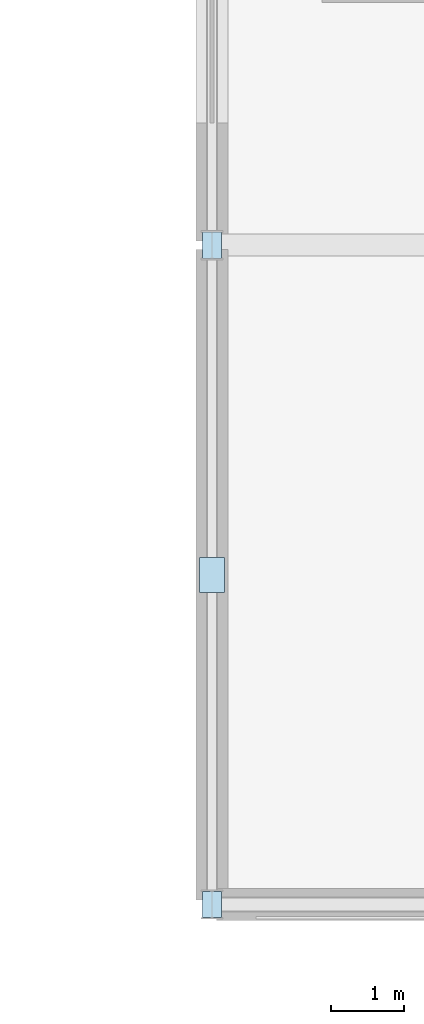
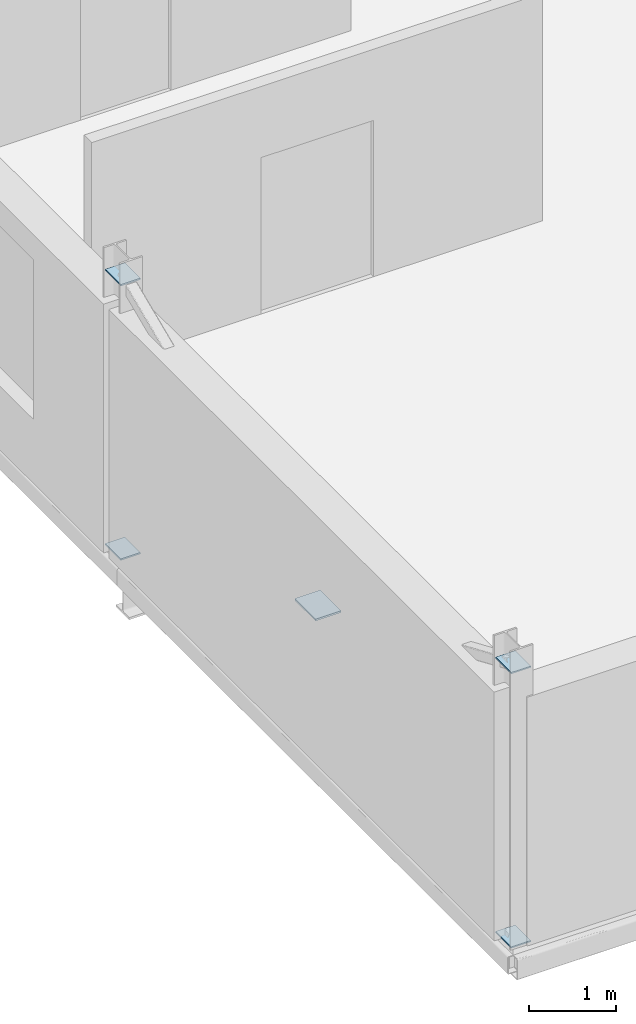
# One storey, part 130 of 161: 5 plates.
"""IFC4 building model written with IfcOpenShell, lengths in metres."""

from ifc_helpers import new_model, si_unit, direction, frame, origin, origin_2d, place, context, subcontext, project, spatial, rectangle, extrude, material, layer, layer_set, type_object, element, save


model = new_model("IFC4")

# Units and contexts
model_context = context("Model", 3, precision=1e-05, world=origin(), true_north=direction((0.0, 1.0)))
body_context = subcontext(model_context, "Body", "Model", "MODEL_VIEW")
ifc_project = project(units=[si_unit("LENGTHUNIT", "METRE"), si_unit("AREAUNIT", "SQUARE_METRE"), si_unit("VOLUMEUNIT", "CUBIC_METRE"), si_unit("PLANEANGLEUNIT", "RADIAN"), si_unit("MASSUNIT", "GRAM", prefix="KILO")], contexts=[model_context])

# Site, building, storey
site_placement = place(None, origin())
site = spatial("IfcSite", under=ifc_project, at=site_placement, CompositionType="ELEMENT")
building_placement = place(site_placement, origin())
building = spatial("IfcBuilding", under=site, at=building_placement, Name="Kildeholm Park Wholesale Market", CompositionType="ELEMENT")
storey_placement = place(building_placement, frame((0.0, 0.0, 5.39990234375)))
storey = spatial("IfcBuildingStorey", under=building, at=storey_placement, Name="L01", CompositionType="ELEMENT", Elevation=5.39990234375)

# Plates
ifc_material = material(Name="Steel S355", Category="steel")
ifc_layer_1 = layer(ifc_material, 0.02001953125)
ifc_layer_set_1 = layer_set([ifc_layer_1], Name="Steel S355")
plate_type_1 = type_object("IfcPlateType", Name="Steel connection plate EP-01 360x260x20", PredefinedType="SHEET", material=ifc_layer_set_1)
for number, where, z_axis, x_axis, name in (
    (1, (9.0, 0.0, 0.010009765625), (0.0, 0.0, 1.0), (0.0, 1.0, 0.0), "Brace end connection plate BR-V5W-L01-1 PLT-0148"),
    (2, (9.0, 9.0, 3.8701171875), (0.0, 0.0, 1.0), (0.0, 1.0, 0.0), "Brace end connection plate BR-V5W-L01-2 PLT-0149"),
    (3, (9.0, 9.0, 0.010009765625), (0.0, 0.0, 1.0), (0.0, 1.0, 0.0), "Brace end connection plate BR-V5W-L01-3 PLT-0150"),
    (4, (9.0, 0.0, 3.8701171875), (0.0, 0.0, 1.0), (0.0, 1.0, 0.0), "Brace end connection plate BR-V5W-L01-4 PLT-0151"),
):
    element("IfcPlate", number, at=place(storey_placement, frame(where, z_axis=z_axis, x_axis=x_axis)), inside=storey, type_object=plate_type_1, Name=name, PredefinedType="SHEET", context=body_context, shape_type="SweptSolid", body=[
        extrude(rectangle(XDim=0.360107421875, YDim=0.260009765625, at=origin_2d()), origin(), (0.0, 0.0, 1.0), 0.02001953125),
    ])
ifc_layer_2 = layer(ifc_material, 0.02587890625)
ifc_layer_set_2 = layer_set([ifc_layer_2], Name="Steel S355")
plate_type_2 = type_object("IfcPlateType", Name="Steel connection plate GP-02 480x340x26", PredefinedType="SHEET", material=ifc_layer_set_2)
plate_placement = place(storey_placement, frame((9.0, 4.5, 1.937255859375), z_axis=(0.0, 0.0, 1.0), x_axis=(0.0, 1.0, 0.0)))
element("IfcPlate", 5, at=plate_placement, inside=storey, type_object=plate_type_2, Name="X-brace crossing gusset plate BR-V5W-L01 PLT-0147", PredefinedType="SHEET", context=body_context, shape_type="SweptSolid", body=[
    extrude(rectangle(XDim=0.47998046875, YDim=0.340087890625, at=origin_2d()), origin(), (0.0, 0.0, 1.0), 0.02587890625),
])

save(model, "model.ifc")
